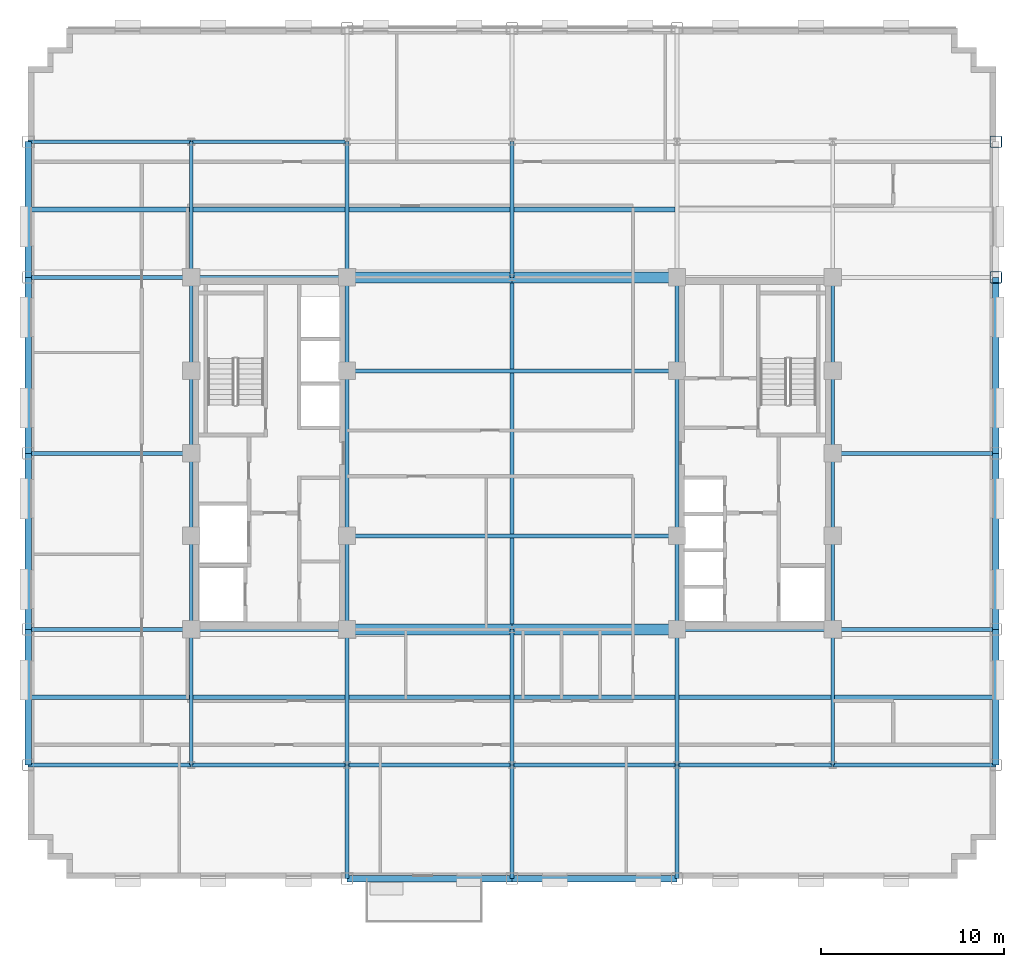
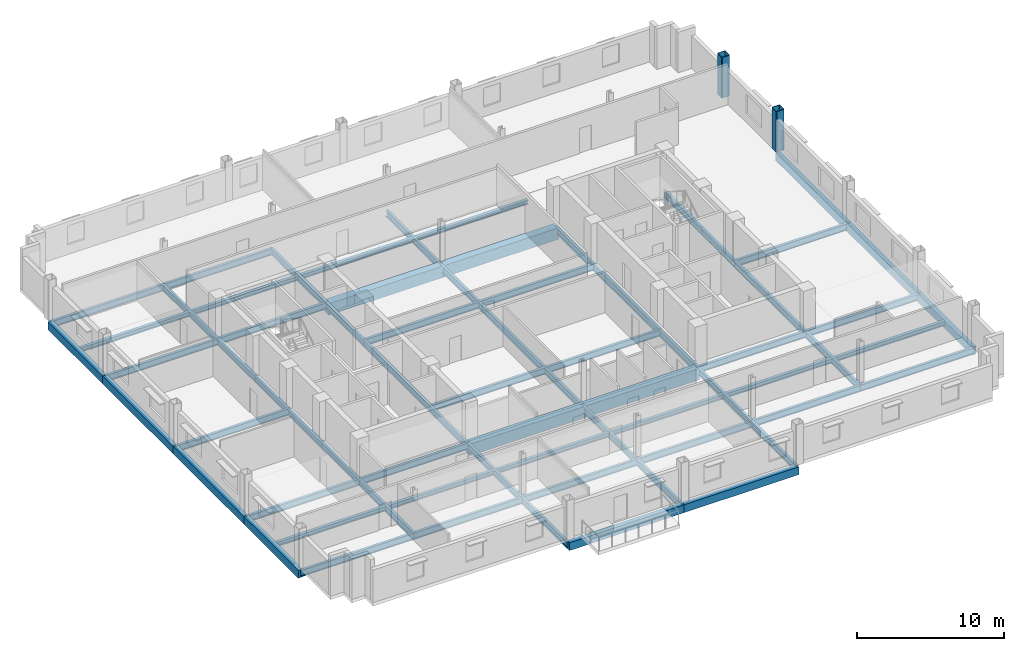
# One storey, part 4 of 13: 67 beams, 2 columns.
"""IFC4 building model written with IfcOpenShell, lengths in metres."""

from ifc_helpers import new_model, si_unit, direction, frame, origin, origin_2d, place, context, subcontext, project, spatial, rectangle, hollow_rectangle, i_section, extrude, material, material_profile, profile_set, type_object, element, save


model = new_model("IFC4")

# Units and contexts
model_context = context("Model", 3, precision=1e-05, world=origin(), true_north=direction((0.0, 1.0)))
body_context = subcontext(model_context, "Body", "Model", "MODEL_VIEW")
ifc_project = project(units=[si_unit("LENGTHUNIT", "METRE"), si_unit("AREAUNIT", "SQUARE_METRE"), si_unit("VOLUMEUNIT", "CUBIC_METRE"), si_unit("PLANEANGLEUNIT", "RADIAN"), si_unit("MASSUNIT", "GRAM", prefix="KILO")], contexts=[model_context])

# Site, building, storey
site_placement = place(None, origin())
site = spatial("IfcSite", under=ifc_project, at=site_placement, CompositionType="ELEMENT")
building_placement = place(site_placement, origin())
building = spatial("IfcBuilding", under=site, at=building_placement, Name="Nuvemarco Arch Tower", CompositionType="ELEMENT")
storey_placement = place(building_placement, frame((0.0, 0.0, 149.39990234375)))
storey = spatial("IfcBuildingStorey", under=building, at=storey_placement, Name="L39", CompositionType="ELEMENT", Elevation=149.39990234375)

# Columns
ifc_material_1 = material(Name="Steel S355", Category="steel")
ifc_material_profile_1 = material_profile(ifc_material_1, hollow_rectangle(XDim=0.64990234375, YDim=0.64990234375, WallThickness=0.0400390625, InnerFilletRadius=0.0400390625, OuterFilletRadius=0.080078125, at=origin_2d()), Name="SHS650x650x40")
ifc_profile_set_1 = profile_set([ifc_material_profile_1], Name="Steel S355")
column_type = type_object("IfcColumnType", Name="COL-EXO-650", PredefinedType="COLUMN", material=ifc_profile_set_1)
for number, where, z_axis, x_axis, name in (
    (1, (26.39990234375, 9.60009765625, 0.0), (0.0, 0.0, 1.0), (1.0, 0.0, 0.0), "L39 column CX_+26.4_+9.6"),
    (2, (26.39990234375, 17.0, 0.0), (0.0, 0.0, 1.0), (1.0, 0.0, 0.0), "L39 column CX_+26.4_+17.0"),
):
    element("IfcColumn", number, at=place(storey_placement, frame(where, z_axis=z_axis, x_axis=x_axis)), inside=storey, type_object=column_type, Name=name, PredefinedType="COLUMN", context=body_context, shape_type="SweptSolid", body=[
        extrude(hollow_rectangle(XDim=0.64990234375, YDim=0.64990234375, WallThickness=0.0400390625, InnerFilletRadius=0.0400390625, OuterFilletRadius=0.080078125, at=origin_2d()), origin(), (0.0, 0.0, 1.0), 3.3701171875),
    ])

# Beams
ifc_material_2 = material(Name="Concrete C60/75", Category="concrete")
ifc_material_profile_2 = material_profile(ifc_material_2, rectangle(XDim=0.60009765625, YDim=0.949951171875, at=origin_2d()), Name="RC-BM-600x950")
ifc_profile_set_2 = profile_set([ifc_material_profile_2], Name="Concrete C60/75")
beam_type_1 = type_object("IfcBeamType", Name="BM-COUP-RC", PredefinedType="LINTEL", material=ifc_profile_set_2)
for number, where, z_axis, x_axis, name in (
    (3, (-9.0, -9.60009765625, -0.7548828125), (1.0, 0.0, 0.0), (0.0, 1.0, 0.0), "L39 structural beam BGEW_L39_0_-9.6_-9.0"),
    (4, (0.0, -9.60009765625, -0.7548828125), (1.0, 0.0, 0.0), (0.0, 1.0, 0.0), "L39 structural beam BGEW_L39_0_-9.6_+0.0"),
    (5, (-9.0, 9.60009765625, -0.7548828125), (1.0, 0.0, 0.0), (0.0, 1.0, 0.0), "L39 structural beam BGEW_L39_0_+9.6_-9.0"),
    (6, (0.0, 9.60009765625, -0.7548828125), (1.0, 0.0, 0.0), (0.0, 1.0, 0.0), "L39 structural beam BGEW_L39_0_+9.6_+0.0"),
):
    element("IfcBeam", number, at=place(storey_placement, frame(where, z_axis=z_axis, x_axis=x_axis)), inside=storey, type_object=beam_type_1, Name=name, PredefinedType="LINTEL", context=body_context, shape_type="SweptSolid", body=[
        extrude(rectangle(XDim=0.60009765625, YDim=0.949951171875, at=origin_2d()), origin(), (0.0, 0.0, 1.0), 9.0),
    ])
ifc_material_profile_3 = material_profile(ifc_material_1, i_section(OverallWidth=0.2109375, OverallDepth=0.5390625, WebThickness=0.01171875, FlangeThickness=0.018798828125, FilletRadius=0.01611328125, at=origin_2d()), Name="W530x109")
ifc_profile_set_3 = profile_set([ifc_material_profile_3], Name="Steel S355")
beam_type_2 = type_object("IfcBeamType", Name="BM-GIRD-530", PredefinedType="BEAM", material=ifc_profile_set_3)
beam_1_placement = place(storey_placement, frame((-17.5, -17.0, -0.54931640625), z_axis=(0.0, 1.0, 0.0), x_axis=(-1.0, 0.0, 0.0)))
element("IfcBeam", 7, at=beam_1_placement, inside=storey, type_object=beam_type_2, Name="L39 structural beam BGNS_L39_0_-17.5_-17.0", PredefinedType="BEAM", context=body_context, shape_type="SweptSolid", body=[
    extrude(i_section(OverallWidth=0.2109375, OverallDepth=0.5390625, WebThickness=0.01171875, FlangeThickness=0.018798828125, FilletRadius=0.01611328125, at=origin_2d()), origin(), (0.0, 0.0, 1.0), 7.39990234375),
])
beam_2_placement = place(storey_placement, frame((-17.5, -9.60009765625, -0.54931640625), z_axis=(0.0, 1.0, 0.0), x_axis=(-1.0, 0.0, 0.0)))
element("IfcBeam", 8, at=beam_2_placement, inside=storey, type_object=beam_type_2, Name="L39 structural beam BGNS_L39_0_-17.5_-9.6", PredefinedType="BEAM", context=body_context, shape_type="SweptSolid", body=[
    extrude(i_section(OverallWidth=0.2109375, OverallDepth=0.5390625, WebThickness=0.01171875, FlangeThickness=0.018798828125, FilletRadius=0.01611328125, at=origin_2d()), origin(), (0.0, 0.0, 1.0), 5.10009765625),
])
for number, where, z_axis, x_axis, name in (
    (9, (-17.5, -4.5, -0.54931640625), (0.0, 1.0, 0.0), (-1.0, 0.0, 0.0), "L39 structural beam BGNS_L39_0_-17.5_-4.5"),
    (10, (-17.5, 0.0, -0.54931640625), (0.0, 1.0, 0.0), (-1.0, 0.0, 0.0), "L39 structural beam BGNS_L39_0_-17.5_+0.0"),
):
    element("IfcBeam", number, at=place(storey_placement, frame(where, z_axis=z_axis, x_axis=x_axis)), inside=storey, type_object=beam_type_2, Name=name, PredefinedType="BEAM", context=body_context, shape_type="SweptSolid", body=[
        extrude(i_section(OverallWidth=0.2109375, OverallDepth=0.5390625, WebThickness=0.01171875, FlangeThickness=0.018798828125, FilletRadius=0.01611328125, at=origin_2d()), origin(), (0.0, 0.0, 1.0), 4.5),
    ])
beam_3_placement = place(storey_placement, frame((-17.5, 4.5, -0.54931640625), z_axis=(0.0, 1.0, 0.0), x_axis=(-1.0, 0.0, 0.0)))
element("IfcBeam", 11, at=beam_3_placement, inside=storey, type_object=beam_type_2, Name="L39 structural beam BGNS_L39_0_-17.5_+4.5", PredefinedType="BEAM", context=body_context, shape_type="SweptSolid", body=[
    extrude(i_section(OverallWidth=0.2109375, OverallDepth=0.5390625, WebThickness=0.01171875, FlangeThickness=0.018798828125, FilletRadius=0.01611328125, at=origin_2d()), origin(), (0.0, 0.0, 1.0), 5.10009765625),
])
beam_4_placement = place(storey_placement, frame((-17.5, 9.60009765625, -0.54931640625), z_axis=(0.0, 1.0, 0.0), x_axis=(-1.0, 0.0, 0.0)))
element("IfcBeam", 12, at=beam_4_placement, inside=storey, type_object=beam_type_2, Name="L39 structural beam BGNS_L39_0_-17.5_+9.6", PredefinedType="BEAM", context=body_context, shape_type="SweptSolid", body=[
    extrude(i_section(OverallWidth=0.2109375, OverallDepth=0.5390625, WebThickness=0.01171875, FlangeThickness=0.018798828125, FilletRadius=0.01611328125, at=origin_2d()), origin(), (0.0, 0.0, 1.0), 7.39990234375),
])
beam_5_placement = place(storey_placement, frame((-9.0, -23.199951171875, -0.54931640625), z_axis=(0.0, 1.0, 0.0), x_axis=(-1.0, 0.0, 0.0)))
element("IfcBeam", 13, at=beam_5_placement, inside=storey, type_object=beam_type_2, Name="L39 structural beam BGNS_L39_0_-9.0_-23.2", PredefinedType="BEAM", context=body_context, shape_type="SweptSolid", body=[
    extrude(i_section(OverallWidth=0.2109375, OverallDepth=0.5390625, WebThickness=0.01171875, FlangeThickness=0.018798828125, FilletRadius=0.01611328125, at=origin_2d()), origin(), (0.0, 0.0, 1.0), 6.199951171875),
])
beam_6_placement = place(storey_placement, frame((-9.0, -17.0, -0.54931640625), z_axis=(0.0, 1.0, 0.0), x_axis=(-1.0, 0.0, 0.0)))
element("IfcBeam", 14, at=beam_6_placement, inside=storey, type_object=beam_type_2, Name="L39 structural beam BGNS_L39_0_-9.0_-17.0", PredefinedType="BEAM", context=body_context, shape_type="SweptSolid", body=[
    extrude(i_section(OverallWidth=0.2109375, OverallDepth=0.5390625, WebThickness=0.01171875, FlangeThickness=0.018798828125, FilletRadius=0.01611328125, at=origin_2d()), origin(), (0.0, 0.0, 1.0), 7.39990234375),
])
beam_7_placement = place(storey_placement, frame((-9.0, -9.60009765625, -0.54931640625), z_axis=(0.0, 1.0, 0.0), x_axis=(-1.0, 0.0, 0.0)))
element("IfcBeam", 15, at=beam_7_placement, inside=storey, type_object=beam_type_2, Name="L39 structural beam BGNS_L39_0_-9.0_-9.6", PredefinedType="BEAM", context=body_context, shape_type="SweptSolid", body=[
    extrude(i_section(OverallWidth=0.2109375, OverallDepth=0.5390625, WebThickness=0.01171875, FlangeThickness=0.018798828125, FilletRadius=0.01611328125, at=origin_2d()), origin(), (0.0, 0.0, 1.0), 5.10009765625),
])
beam_8_placement = place(storey_placement, frame((-9.0, -4.5, -0.54931640625), z_axis=(0.0, 1.0, 0.0), x_axis=(-1.0, 0.0, 0.0)))
element("IfcBeam", 16, at=beam_8_placement, inside=storey, type_object=beam_type_2, Name="L39 structural beam BGNS_L39_0_-9.0_-4.5", PredefinedType="BEAM", context=body_context, shape_type="SweptSolid", body=[
    extrude(i_section(OverallWidth=0.2109375, OverallDepth=0.5390625, WebThickness=0.01171875, FlangeThickness=0.018798828125, FilletRadius=0.01611328125, at=origin_2d()), origin(), (0.0, 0.0, 1.0), 9.0),
])
beam_9_placement = place(storey_placement, frame((-9.0, 4.5, -0.54931640625), z_axis=(0.0, 1.0, 0.0), x_axis=(-1.0, 0.0, 0.0)))
element("IfcBeam", 17, at=beam_9_placement, inside=storey, type_object=beam_type_2, Name="L39 structural beam BGNS_L39_0_-9.0_+4.5", PredefinedType="BEAM", context=body_context, shape_type="SweptSolid", body=[
    extrude(i_section(OverallWidth=0.2109375, OverallDepth=0.5390625, WebThickness=0.01171875, FlangeThickness=0.018798828125, FilletRadius=0.01611328125, at=origin_2d()), origin(), (0.0, 0.0, 1.0), 5.10009765625),
])
beam_10_placement = place(storey_placement, frame((-9.0, 9.60009765625, -0.54931640625), z_axis=(0.0, 1.0, 0.0), x_axis=(-1.0, 0.0, 0.0)))
element("IfcBeam", 18, at=beam_10_placement, inside=storey, type_object=beam_type_2, Name="L39 structural beam BGNS_L39_0_-9.0_+9.6", PredefinedType="BEAM", context=body_context, shape_type="SweptSolid", body=[
    extrude(i_section(OverallWidth=0.2109375, OverallDepth=0.5390625, WebThickness=0.01171875, FlangeThickness=0.018798828125, FilletRadius=0.01611328125, at=origin_2d()), origin(), (0.0, 0.0, 1.0), 7.39990234375),
])
beam_11_placement = place(storey_placement, frame((0.0, -23.199951171875, -0.54931640625), z_axis=(0.0, 1.0, 0.0), x_axis=(-1.0, 0.0, 0.0)))
element("IfcBeam", 19, at=beam_11_placement, inside=storey, type_object=beam_type_2, Name="L39 structural beam BGNS_L39_0_+0.0_-23.2", PredefinedType="BEAM", context=body_context, shape_type="SweptSolid", body=[
    extrude(i_section(OverallWidth=0.2109375, OverallDepth=0.5390625, WebThickness=0.01171875, FlangeThickness=0.018798828125, FilletRadius=0.01611328125, at=origin_2d()), origin(), (0.0, 0.0, 1.0), 6.199951171875),
])
beam_12_placement = place(storey_placement, frame((0.0, -17.0, -0.54931640625), z_axis=(0.0, 1.0, 0.0), x_axis=(-1.0, 0.0, 0.0)))
element("IfcBeam", 20, at=beam_12_placement, inside=storey, type_object=beam_type_2, Name="L39 structural beam BGNS_L39_0_+0.0_-17.0", PredefinedType="BEAM", context=body_context, shape_type="SweptSolid", body=[
    extrude(i_section(OverallWidth=0.2109375, OverallDepth=0.5390625, WebThickness=0.01171875, FlangeThickness=0.018798828125, FilletRadius=0.01611328125, at=origin_2d()), origin(), (0.0, 0.0, 1.0), 7.39990234375),
])
beam_13_placement = place(storey_placement, frame((0.0, -9.60009765625, -0.54931640625), z_axis=(0.0, 1.0, 0.0), x_axis=(-1.0, 0.0, 0.0)))
element("IfcBeam", 21, at=beam_13_placement, inside=storey, type_object=beam_type_2, Name="L39 structural beam BGNS_L39_0_+0.0_-9.6", PredefinedType="BEAM", context=body_context, shape_type="SweptSolid", body=[
    extrude(i_section(OverallWidth=0.2109375, OverallDepth=0.5390625, WebThickness=0.01171875, FlangeThickness=0.018798828125, FilletRadius=0.01611328125, at=origin_2d()), origin(), (0.0, 0.0, 1.0), 19.2001953125),
])
beam_14_placement = place(storey_placement, frame((0.0, 9.60009765625, -0.54931640625), z_axis=(0.0, 1.0, 0.0), x_axis=(-1.0, 0.0, 0.0)))
element("IfcBeam", 22, at=beam_14_placement, inside=storey, type_object=beam_type_2, Name="L39 structural beam BGNS_L39_0_+0.0_+9.6", PredefinedType="BEAM", context=body_context, shape_type="SweptSolid", body=[
    extrude(i_section(OverallWidth=0.2109375, OverallDepth=0.5390625, WebThickness=0.01171875, FlangeThickness=0.018798828125, FilletRadius=0.01611328125, at=origin_2d()), origin(), (0.0, 0.0, 1.0), 7.39990234375),
])
beam_15_placement = place(storey_placement, frame((9.0, -23.199951171875, -0.54931640625), z_axis=(0.0, 1.0, 0.0), x_axis=(-1.0, 0.0, 0.0)))
element("IfcBeam", 23, at=beam_15_placement, inside=storey, type_object=beam_type_2, Name="L39 structural beam BGNS_L39_0_+9.0_-23.2", PredefinedType="BEAM", context=body_context, shape_type="SweptSolid", body=[
    extrude(i_section(OverallWidth=0.2109375, OverallDepth=0.5390625, WebThickness=0.01171875, FlangeThickness=0.018798828125, FilletRadius=0.01611328125, at=origin_2d()), origin(), (0.0, 0.0, 1.0), 6.199951171875),
])
beam_16_placement = place(storey_placement, frame((9.0, -17.0, -0.54931640625), z_axis=(0.0, 1.0, 0.0), x_axis=(-1.0, 0.0, 0.0)))
element("IfcBeam", 24, at=beam_16_placement, inside=storey, type_object=beam_type_2, Name="L39 structural beam BGNS_L39_0_+9.0_-17.0", PredefinedType="BEAM", context=body_context, shape_type="SweptSolid", body=[
    extrude(i_section(OverallWidth=0.2109375, OverallDepth=0.5390625, WebThickness=0.01171875, FlangeThickness=0.018798828125, FilletRadius=0.01611328125, at=origin_2d()), origin(), (0.0, 0.0, 1.0), 7.39990234375),
])
beam_17_placement = place(storey_placement, frame((9.0, -9.60009765625, -0.54931640625), z_axis=(0.0, 1.0, 0.0), x_axis=(-1.0, 0.0, 0.0)))
element("IfcBeam", 25, at=beam_17_placement, inside=storey, type_object=beam_type_2, Name="L39 structural beam BGNS_L39_0_+9.0_-9.6", PredefinedType="BEAM", context=body_context, shape_type="SweptSolid", body=[
    extrude(i_section(OverallWidth=0.2109375, OverallDepth=0.5390625, WebThickness=0.01171875, FlangeThickness=0.018798828125, FilletRadius=0.01611328125, at=origin_2d()), origin(), (0.0, 0.0, 1.0), 5.10009765625),
])
beam_18_placement = place(storey_placement, frame((9.0, -4.5, -0.54931640625), z_axis=(0.0, 1.0, 0.0), x_axis=(-1.0, 0.0, 0.0)))
element("IfcBeam", 26, at=beam_18_placement, inside=storey, type_object=beam_type_2, Name="L39 structural beam BGNS_L39_0_+9.0_-4.5", PredefinedType="BEAM", context=body_context, shape_type="SweptSolid", body=[
    extrude(i_section(OverallWidth=0.2109375, OverallDepth=0.5390625, WebThickness=0.01171875, FlangeThickness=0.018798828125, FilletRadius=0.01611328125, at=origin_2d()), origin(), (0.0, 0.0, 1.0), 9.0),
])
beam_19_placement = place(storey_placement, frame((9.0, 4.5, -0.54931640625), z_axis=(0.0, 1.0, 0.0), x_axis=(-1.0, 0.0, 0.0)))
element("IfcBeam", 27, at=beam_19_placement, inside=storey, type_object=beam_type_2, Name="L39 structural beam BGNS_L39_0_+9.0_+4.5", PredefinedType="BEAM", context=body_context, shape_type="SweptSolid", body=[
    extrude(i_section(OverallWidth=0.2109375, OverallDepth=0.5390625, WebThickness=0.01171875, FlangeThickness=0.018798828125, FilletRadius=0.01611328125, at=origin_2d()), origin(), (0.0, 0.0, 1.0), 5.10009765625),
])
beam_20_placement = place(storey_placement, frame((17.5, -17.0, -0.54931640625), z_axis=(0.0, 1.0, 0.0), x_axis=(-1.0, 0.0, 0.0)))
element("IfcBeam", 28, at=beam_20_placement, inside=storey, type_object=beam_type_2, Name="L39 structural beam BGNS_L39_0_+17.5_-17.0", PredefinedType="BEAM", context=body_context, shape_type="SweptSolid", body=[
    extrude(i_section(OverallWidth=0.2109375, OverallDepth=0.5390625, WebThickness=0.01171875, FlangeThickness=0.018798828125, FilletRadius=0.01611328125, at=origin_2d()), origin(), (0.0, 0.0, 1.0), 7.39990234375),
])
beam_21_placement = place(storey_placement, frame((17.5, -9.60009765625, -0.54931640625), z_axis=(0.0, 1.0, 0.0), x_axis=(-1.0, 0.0, 0.0)))
element("IfcBeam", 29, at=beam_21_placement, inside=storey, type_object=beam_type_2, Name="L39 structural beam BGNS_L39_0_+17.5_-9.6", PredefinedType="BEAM", context=body_context, shape_type="SweptSolid", body=[
    extrude(i_section(OverallWidth=0.2109375, OverallDepth=0.5390625, WebThickness=0.01171875, FlangeThickness=0.018798828125, FilletRadius=0.01611328125, at=origin_2d()), origin(), (0.0, 0.0, 1.0), 5.10009765625),
])
for number, where, z_axis, x_axis, name in (
    (30, (17.5, -4.5, -0.54931640625), (0.0, 1.0, 0.0), (-1.0, 0.0, 0.0), "L39 structural beam BGNS_L39_0_+17.5_-4.5"),
    (31, (17.5, 0.0, -0.54931640625), (0.0, 1.0, 0.0), (-1.0, 0.0, 0.0), "L39 structural beam BGNS_L39_0_+17.5_+0.0"),
):
    element("IfcBeam", number, at=place(storey_placement, frame(where, z_axis=z_axis, x_axis=x_axis)), inside=storey, type_object=beam_type_2, Name=name, PredefinedType="BEAM", context=body_context, shape_type="SweptSolid", body=[
        extrude(i_section(OverallWidth=0.2109375, OverallDepth=0.5390625, WebThickness=0.01171875, FlangeThickness=0.018798828125, FilletRadius=0.01611328125, at=origin_2d()), origin(), (0.0, 0.0, 1.0), 4.5),
    ])
beam_22_placement = place(storey_placement, frame((17.5, 4.5, -0.54931640625), z_axis=(0.0, 1.0, 0.0), x_axis=(-1.0, 0.0, 0.0)))
element("IfcBeam", 32, at=beam_22_placement, inside=storey, type_object=beam_type_2, Name="L39 structural beam BGNS_L39_0_+17.5_+4.5", PredefinedType="BEAM", context=body_context, shape_type="SweptSolid", body=[
    extrude(i_section(OverallWidth=0.2109375, OverallDepth=0.5390625, WebThickness=0.01171875, FlangeThickness=0.018798828125, FilletRadius=0.01611328125, at=origin_2d()), origin(), (0.0, 0.0, 1.0), 5.10009765625),
])
beam_23_placement = place(storey_placement, frame((-26.39990234375, -17.0, -0.54931640625), z_axis=(1.0, 0.0, 0.0), x_axis=(0.0, 1.0, 0.0)))
element("IfcBeam", 33, at=beam_23_placement, inside=storey, type_object=beam_type_2, Name="L39 structural beam BGEW_L39_0_-17.0_-26.4", PredefinedType="BEAM", context=body_context, shape_type="SweptSolid", body=[
    extrude(i_section(OverallWidth=0.2109375, OverallDepth=0.5390625, WebThickness=0.01171875, FlangeThickness=0.018798828125, FilletRadius=0.01611328125, at=origin_2d()), origin(), (0.0, 0.0, 1.0), 8.89990234375),
])
beam_24_placement = place(storey_placement, frame((-17.5, -17.0, -0.54931640625), z_axis=(1.0, 0.0, 0.0), x_axis=(0.0, 1.0, 0.0)))
element("IfcBeam", 34, at=beam_24_placement, inside=storey, type_object=beam_type_2, Name="L39 structural beam BGEW_L39_0_-17.0_-17.5", PredefinedType="BEAM", context=body_context, shape_type="SweptSolid", body=[
    extrude(i_section(OverallWidth=0.2109375, OverallDepth=0.5390625, WebThickness=0.01171875, FlangeThickness=0.018798828125, FilletRadius=0.01611328125, at=origin_2d()), origin(), (0.0, 0.0, 1.0), 8.5),
])
for number, where, z_axis, x_axis, name in (
    (35, (-9.0, -17.0, -0.54931640625), (1.0, 0.0, 0.0), (0.0, 1.0, 0.0), "L39 structural beam BGEW_L39_0_-17.0_-9.0"),
    (36, (0.0, -17.0, -0.54931640625), (1.0, 0.0, 0.0), (0.0, 1.0, 0.0), "L39 structural beam BGEW_L39_0_-17.0_+0.0"),
):
    element("IfcBeam", number, at=place(storey_placement, frame(where, z_axis=z_axis, x_axis=x_axis)), inside=storey, type_object=beam_type_2, Name=name, PredefinedType="BEAM", context=body_context, shape_type="SweptSolid", body=[
        extrude(i_section(OverallWidth=0.2109375, OverallDepth=0.5390625, WebThickness=0.01171875, FlangeThickness=0.018798828125, FilletRadius=0.01611328125, at=origin_2d()), origin(), (0.0, 0.0, 1.0), 9.0),
    ])
beam_25_placement = place(storey_placement, frame((9.0, -17.0, -0.54931640625), z_axis=(1.0, 0.0, 0.0), x_axis=(0.0, 1.0, 0.0)))
element("IfcBeam", 37, at=beam_25_placement, inside=storey, type_object=beam_type_2, Name="L39 structural beam BGEW_L39_0_-17.0_+9.0", PredefinedType="BEAM", context=body_context, shape_type="SweptSolid", body=[
    extrude(i_section(OverallWidth=0.2109375, OverallDepth=0.5390625, WebThickness=0.01171875, FlangeThickness=0.018798828125, FilletRadius=0.01611328125, at=origin_2d()), origin(), (0.0, 0.0, 1.0), 8.5),
])
for number, where, z_axis, x_axis, name in (
    (38, (17.5, -17.0, -0.54931640625), (1.0, 0.0, 0.0), (0.0, 1.0, 0.0), "L39 structural beam BGEW_L39_0_-17.0_+17.5"),
    (39, (-26.39990234375, -9.60009765625, -0.54931640625), (1.0, 0.0, 0.0), (0.0, 1.0, 0.0), "L39 structural beam BGEW_L39_0_-9.6_-26.4"),
):
    element("IfcBeam", number, at=place(storey_placement, frame(where, z_axis=z_axis, x_axis=x_axis)), inside=storey, type_object=beam_type_2, Name=name, PredefinedType="BEAM", context=body_context, shape_type="SweptSolid", body=[
        extrude(i_section(OverallWidth=0.2109375, OverallDepth=0.5390625, WebThickness=0.01171875, FlangeThickness=0.018798828125, FilletRadius=0.01611328125, at=origin_2d()), origin(), (0.0, 0.0, 1.0), 8.89990234375),
    ])
for number, where, z_axis, x_axis, name in (
    (40, (-17.5, -9.60009765625, -0.54931640625), (1.0, 0.0, 0.0), (0.0, 1.0, 0.0), "L39 structural beam BGEW_L39_0_-9.6_-17.5"),
    (41, (9.0, -9.60009765625, -0.54931640625), (1.0, 0.0, 0.0), (0.0, 1.0, 0.0), "L39 structural beam BGEW_L39_0_-9.6_+9.0"),
):
    element("IfcBeam", number, at=place(storey_placement, frame(where, z_axis=z_axis, x_axis=x_axis)), inside=storey, type_object=beam_type_2, Name=name, PredefinedType="BEAM", context=body_context, shape_type="SweptSolid", body=[
        extrude(i_section(OverallWidth=0.2109375, OverallDepth=0.5390625, WebThickness=0.01171875, FlangeThickness=0.018798828125, FilletRadius=0.01611328125, at=origin_2d()), origin(), (0.0, 0.0, 1.0), 8.5),
    ])
beam_26_placement = place(storey_placement, frame((17.5, -9.60009765625, -0.54931640625), z_axis=(1.0, 0.0, 0.0), x_axis=(0.0, 1.0, 0.0)))
element("IfcBeam", 42, at=beam_26_placement, inside=storey, type_object=beam_type_2, Name="L39 structural beam BGEW_L39_0_-9.6_+17.5", PredefinedType="BEAM", context=body_context, shape_type="SweptSolid", body=[
    extrude(i_section(OverallWidth=0.2109375, OverallDepth=0.5390625, WebThickness=0.01171875, FlangeThickness=0.018798828125, FilletRadius=0.01611328125, at=origin_2d()), origin(), (0.0, 0.0, 1.0), 8.89990234375),
])
beam_27_placement = place(storey_placement, frame((-9.0, -4.5, -0.54931640625), z_axis=(1.0, 0.0, 0.0), x_axis=(0.0, 1.0, 0.0)))
element("IfcBeam", 43, at=beam_27_placement, inside=storey, type_object=beam_type_2, Name="L39 structural beam BGEW_L39_0_-4.5_-9.0", PredefinedType="BEAM", context=body_context, shape_type="SweptSolid", body=[
    extrude(i_section(OverallWidth=0.2109375, OverallDepth=0.5390625, WebThickness=0.01171875, FlangeThickness=0.018798828125, FilletRadius=0.01611328125, at=origin_2d()), origin(), (0.0, 0.0, 1.0), 18.0),
])
for number, where, z_axis, x_axis, name in (
    (44, (-26.39990234375, 0.0, -0.54931640625), (1.0, 0.0, 0.0), (0.0, 1.0, 0.0), "L39 structural beam BGEW_L39_0_+0.0_-26.4"),
    (45, (17.5, 0.0, -0.54931640625), (1.0, 0.0, 0.0), (0.0, 1.0, 0.0), "L39 structural beam BGEW_L39_0_+0.0_+17.5"),
):
    element("IfcBeam", number, at=place(storey_placement, frame(where, z_axis=z_axis, x_axis=x_axis)), inside=storey, type_object=beam_type_2, Name=name, PredefinedType="BEAM", context=body_context, shape_type="SweptSolid", body=[
        extrude(i_section(OverallWidth=0.2109375, OverallDepth=0.5390625, WebThickness=0.01171875, FlangeThickness=0.018798828125, FilletRadius=0.01611328125, at=origin_2d()), origin(), (0.0, 0.0, 1.0), 8.89990234375),
    ])
beam_28_placement = place(storey_placement, frame((-9.0, 4.5, -0.54931640625), z_axis=(1.0, 0.0, 0.0), x_axis=(0.0, 1.0, 0.0)))
element("IfcBeam", 46, at=beam_28_placement, inside=storey, type_object=beam_type_2, Name="L39 structural beam BGEW_L39_0_+4.5_-9.0", PredefinedType="BEAM", context=body_context, shape_type="SweptSolid", body=[
    extrude(i_section(OverallWidth=0.2109375, OverallDepth=0.5390625, WebThickness=0.01171875, FlangeThickness=0.018798828125, FilletRadius=0.01611328125, at=origin_2d()), origin(), (0.0, 0.0, 1.0), 18.0),
])
beam_29_placement = place(storey_placement, frame((-26.39990234375, 9.60009765625, -0.54931640625), z_axis=(1.0, 0.0, 0.0), x_axis=(0.0, 1.0, 0.0)))
element("IfcBeam", 47, at=beam_29_placement, inside=storey, type_object=beam_type_2, Name="L39 structural beam BGEW_L39_0_+9.6_-26.4", PredefinedType="BEAM", context=body_context, shape_type="SweptSolid", body=[
    extrude(i_section(OverallWidth=0.2109375, OverallDepth=0.5390625, WebThickness=0.01171875, FlangeThickness=0.018798828125, FilletRadius=0.01611328125, at=origin_2d()), origin(), (0.0, 0.0, 1.0), 8.89990234375),
])
beam_30_placement = place(storey_placement, frame((-17.5, 9.60009765625, -0.54931640625), z_axis=(1.0, 0.0, 0.0), x_axis=(0.0, 1.0, 0.0)))
element("IfcBeam", 48, at=beam_30_placement, inside=storey, type_object=beam_type_2, Name="L39 structural beam BGEW_L39_0_+9.6_-17.5", PredefinedType="BEAM", context=body_context, shape_type="SweptSolid", body=[
    extrude(i_section(OverallWidth=0.2109375, OverallDepth=0.5390625, WebThickness=0.01171875, FlangeThickness=0.018798828125, FilletRadius=0.01611328125, at=origin_2d()), origin(), (0.0, 0.0, 1.0), 8.5),
])
beam_31_placement = place(storey_placement, frame((-26.39990234375, 17.0, -0.54931640625), z_axis=(1.0, 0.0, 0.0), x_axis=(0.0, 1.0, 0.0)))
element("IfcBeam", 49, at=beam_31_placement, inside=storey, type_object=beam_type_2, Name="L39 structural beam BGEW_L39_0_+17.0_-26.4", PredefinedType="BEAM", context=body_context, shape_type="SweptSolid", body=[
    extrude(i_section(OverallWidth=0.2109375, OverallDepth=0.5390625, WebThickness=0.01171875, FlangeThickness=0.018798828125, FilletRadius=0.01611328125, at=origin_2d()), origin(), (0.0, 0.0, 1.0), 8.89990234375),
])
beam_32_placement = place(storey_placement, frame((-17.5, 17.0, -0.54931640625), z_axis=(1.0, 0.0, 0.0), x_axis=(0.0, 1.0, 0.0)))
element("IfcBeam", 50, at=beam_32_placement, inside=storey, type_object=beam_type_2, Name="L39 structural beam BGEW_L39_0_+17.0_-17.5", PredefinedType="BEAM", context=body_context, shape_type="SweptSolid", body=[
    extrude(i_section(OverallWidth=0.2109375, OverallDepth=0.5390625, WebThickness=0.01171875, FlangeThickness=0.018798828125, FilletRadius=0.01611328125, at=origin_2d()), origin(), (0.0, 0.0, 1.0), 8.5),
])
ifc_material_profile_4 = material_profile(ifc_material_1, i_section(OverallWidth=0.2548828125, OverallDepth=0.35693359375, WebThickness=0.010498046875, FlangeThickness=0.018310546875, FilletRadius=0.014892578125, at=origin_2d()), Name="W360x101")
ifc_profile_set_4 = profile_set([ifc_material_profile_4], Name="Steel S355")
beam_type_3 = type_object("IfcBeamType", Name="BM-JOIST-360H", PredefinedType="JOIST", material=ifc_profile_set_4)
beam_33_placement = place(storey_placement, frame((-26.22509765625, -13.300048828125, -0.45849609375), z_axis=(1.0, 0.0, 0.0), x_axis=(0.0, 1.0, 0.0)))
element("IfcBeam", 51, at=beam_33_placement, inside=storey, type_object=beam_type_3, Name="L39 structural beam BJ_L39_0_-13.3_-26.4", PredefinedType="JOIST", context=body_context, shape_type="SweptSolid", body=[
    extrude(i_section(OverallWidth=0.2548828125, OverallDepth=0.35693359375, WebThickness=0.010498046875, FlangeThickness=0.018310546875, FilletRadius=0.014892578125, at=origin_2d()), origin(), (0.0, 0.0, 1.0), 8.61962890625),
])
beam_34_placement = place(storey_placement, frame((-17.39453125, -13.300048828125, -0.45849609375), z_axis=(1.0, 0.0, 0.0), x_axis=(0.0, 1.0, 0.0)))
element("IfcBeam", 52, at=beam_34_placement, inside=storey, type_object=beam_type_3, Name="L39 structural beam BJ_L39_0_-13.3_-17.5", PredefinedType="JOIST", context=body_context, shape_type="SweptSolid", body=[
    extrude(i_section(OverallWidth=0.2548828125, OverallDepth=0.35693359375, WebThickness=0.010498046875, FlangeThickness=0.018310546875, FilletRadius=0.014892578125, at=origin_2d()), origin(), (0.0, 0.0, 1.0), 8.2890625),
])
for number, where, z_axis, x_axis, name in (
    (53, (-8.89453125, -13.300048828125, -0.45849609375), (1.0, 0.0, 0.0), (0.0, 1.0, 0.0), "L39 structural beam BJ_L39_0_-13.3_-9.0"),
    (54, (0.10546875, -13.300048828125, -0.45849609375), (1.0, 0.0, 0.0), (0.0, 1.0, 0.0), "L39 structural beam BJ_L39_0_-13.3_+0.0"),
):
    element("IfcBeam", number, at=place(storey_placement, frame(where, z_axis=z_axis, x_axis=x_axis)), inside=storey, type_object=beam_type_3, Name=name, PredefinedType="JOIST", context=body_context, shape_type="SweptSolid", body=[
        extrude(i_section(OverallWidth=0.2548828125, OverallDepth=0.35693359375, WebThickness=0.010498046875, FlangeThickness=0.018310546875, FilletRadius=0.014892578125, at=origin_2d()), origin(), (0.0, 0.0, 1.0), 8.7890625),
    ])
beam_35_placement = place(storey_placement, frame((9.10546875, -13.300048828125, -0.45849609375), z_axis=(1.0, 0.0, 0.0), x_axis=(0.0, 1.0, 0.0)))
element("IfcBeam", 55, at=beam_35_placement, inside=storey, type_object=beam_type_3, Name="L39 structural beam BJ_L39_0_-13.3_+9.0", PredefinedType="JOIST", context=body_context, shape_type="SweptSolid", body=[
    extrude(i_section(OverallWidth=0.2548828125, OverallDepth=0.35693359375, WebThickness=0.010498046875, FlangeThickness=0.018310546875, FilletRadius=0.014892578125, at=origin_2d()), origin(), (0.0, 0.0, 1.0), 8.2890625),
])
for number, where, z_axis, x_axis, name in (
    (56, (17.60546875, -13.300048828125, -0.45849609375), (1.0, 0.0, 0.0), (0.0, 1.0, 0.0), "L39 structural beam BJ_L39_0_-13.3_+17.5"),
    (57, (-26.22509765625, 13.300048828125, -0.45849609375), (1.0, 0.0, 0.0), (0.0, 1.0, 0.0), "L39 structural beam BJ_L39_0_+13.3_-26.4"),
):
    element("IfcBeam", number, at=place(storey_placement, frame(where, z_axis=z_axis, x_axis=x_axis)), inside=storey, type_object=beam_type_3, Name=name, PredefinedType="JOIST", context=body_context, shape_type="SweptSolid", body=[
        extrude(i_section(OverallWidth=0.2548828125, OverallDepth=0.35693359375, WebThickness=0.010498046875, FlangeThickness=0.018310546875, FilletRadius=0.014892578125, at=origin_2d()), origin(), (0.0, 0.0, 1.0), 8.61962890625),
    ])
beam_36_placement = place(storey_placement, frame((-17.39453125, 13.300048828125, -0.45849609375), z_axis=(1.0, 0.0, 0.0), x_axis=(0.0, 1.0, 0.0)))
element("IfcBeam", 58, at=beam_36_placement, inside=storey, type_object=beam_type_3, Name="L39 structural beam BJ_L39_0_+13.3_-17.5", PredefinedType="JOIST", context=body_context, shape_type="SweptSolid", body=[
    extrude(i_section(OverallWidth=0.2548828125, OverallDepth=0.35693359375, WebThickness=0.010498046875, FlangeThickness=0.018310546875, FilletRadius=0.014892578125, at=origin_2d()), origin(), (0.0, 0.0, 1.0), 8.2890625),
])
for number, where, z_axis, x_axis, name in (
    (59, (-8.89453125, 13.300048828125, -0.45849609375), (1.0, 0.0, 0.0), (0.0, 1.0, 0.0), "L39 structural beam BJ_L39_0_+13.3_-9.0"),
    (60, (0.10546875, 13.300048828125, -0.45849609375), (1.0, 0.0, 0.0), (0.0, 1.0, 0.0), "L39 structural beam BJ_L39_0_+13.3_+0.0"),
):
    element("IfcBeam", number, at=place(storey_placement, frame(where, z_axis=z_axis, x_axis=x_axis)), inside=storey, type_object=beam_type_3, Name=name, PredefinedType="JOIST", context=body_context, shape_type="SweptSolid", body=[
        extrude(i_section(OverallWidth=0.2548828125, OverallDepth=0.35693359375, WebThickness=0.010498046875, FlangeThickness=0.018310546875, FilletRadius=0.014892578125, at=origin_2d()), origin(), (0.0, 0.0, 1.0), 8.7890625),
    ])
ifc_material_3 = material(Name="Precast concrete C45/55", Category="concrete")
ifc_material_profile_5 = material_profile(ifc_material_3, rectangle(XDim=0.35009765625, YDim=0.64990234375, at=origin_2d()), Name="PC-SP-350x650")
ifc_profile_set_5 = profile_set([ifc_material_profile_5], Name="Precast concrete C45/55")
beam_type_4 = type_object("IfcBeamType", Name="BM-SPAN-RC", PredefinedType="SPANDREL", material=ifc_profile_set_5)
beam_37_placement = place(storey_placement, frame((-26.39990234375, -17.0, -0.60498046875), z_axis=(0.0, 1.0, 0.0), x_axis=(-1.0, 0.0, 0.0)))
element("IfcBeam", 61, at=beam_37_placement, inside=storey, type_object=beam_type_4, Name="L39 structural beam BGNS_L39_0_-26.4_-17.0", PredefinedType="SPANDREL", context=body_context, shape_type="SweptSolid", body=[
    extrude(rectangle(XDim=0.35009765625, YDim=0.64990234375, at=origin_2d()), origin(), (0.0, 0.0, 1.0), 7.39990234375),
])
for number, where, z_axis, x_axis, name in (
    (62, (-26.39990234375, -9.60009765625, -0.60498046875), (0.0, 1.0, 0.0), (-1.0, 0.0, 0.0), "L39 structural beam BGNS_L39_0_-26.4_-9.6"),
    (63, (-26.39990234375, 0.0, -0.60498046875), (0.0, 1.0, 0.0), (-1.0, 0.0, 0.0), "L39 structural beam BGNS_L39_0_-26.4_+0.0"),
):
    element("IfcBeam", number, at=place(storey_placement, frame(where, z_axis=z_axis, x_axis=x_axis)), inside=storey, type_object=beam_type_4, Name=name, PredefinedType="SPANDREL", context=body_context, shape_type="SweptSolid", body=[
        extrude(rectangle(XDim=0.35009765625, YDim=0.64990234375, at=origin_2d()), origin(), (0.0, 0.0, 1.0), 9.60009765625),
    ])
for number, where, z_axis, x_axis, name in (
    (64, (-26.39990234375, 9.60009765625, -0.60498046875), (0.0, 1.0, 0.0), (-1.0, 0.0, 0.0), "L39 structural beam BGNS_L39_0_-26.4_+9.6"),
    (65, (26.39990234375, -17.0, -0.60498046875), (0.0, 1.0, 0.0), (-1.0, 0.0, 0.0), "L39 structural beam BGNS_L39_0_+26.4_-17.0"),
):
    element("IfcBeam", number, at=place(storey_placement, frame(where, z_axis=z_axis, x_axis=x_axis)), inside=storey, type_object=beam_type_4, Name=name, PredefinedType="SPANDREL", context=body_context, shape_type="SweptSolid", body=[
        extrude(rectangle(XDim=0.35009765625, YDim=0.64990234375, at=origin_2d()), origin(), (0.0, 0.0, 1.0), 7.39990234375),
    ])
for number, where, z_axis, x_axis, name in (
    (66, (26.39990234375, -9.60009765625, -0.60498046875), (0.0, 1.0, 0.0), (-1.0, 0.0, 0.0), "L39 structural beam BGNS_L39_0_+26.4_-9.6"),
    (67, (26.39990234375, 0.0, -0.60498046875), (0.0, 1.0, 0.0), (-1.0, 0.0, 0.0), "L39 structural beam BGNS_L39_0_+26.4_+0.0"),
):
    element("IfcBeam", number, at=place(storey_placement, frame(where, z_axis=z_axis, x_axis=x_axis)), inside=storey, type_object=beam_type_4, Name=name, PredefinedType="SPANDREL", context=body_context, shape_type="SweptSolid", body=[
        extrude(rectangle(XDim=0.35009765625, YDim=0.64990234375, at=origin_2d()), origin(), (0.0, 0.0, 1.0), 9.60009765625),
    ])
for number, where, z_axis, x_axis, name in (
    (68, (-9.0, -23.199951171875, -0.60498046875), (1.0, 0.0, 0.0), (0.0, 1.0, 0.0), "L39 structural beam BGEW_L39_0_-23.2_-9.0"),
    (69, (0.0, -23.199951171875, -0.60498046875), (1.0, 0.0, 0.0), (0.0, 1.0, 0.0), "L39 structural beam BGEW_L39_0_-23.2_+0.0"),
):
    element("IfcBeam", number, at=place(storey_placement, frame(where, z_axis=z_axis, x_axis=x_axis)), inside=storey, type_object=beam_type_4, Name=name, PredefinedType="SPANDREL", context=body_context, shape_type="SweptSolid", body=[
        extrude(rectangle(XDim=0.35009765625, YDim=0.64990234375, at=origin_2d()), origin(), (0.0, 0.0, 1.0), 9.0),
    ])

save(model, "model.ifc")
